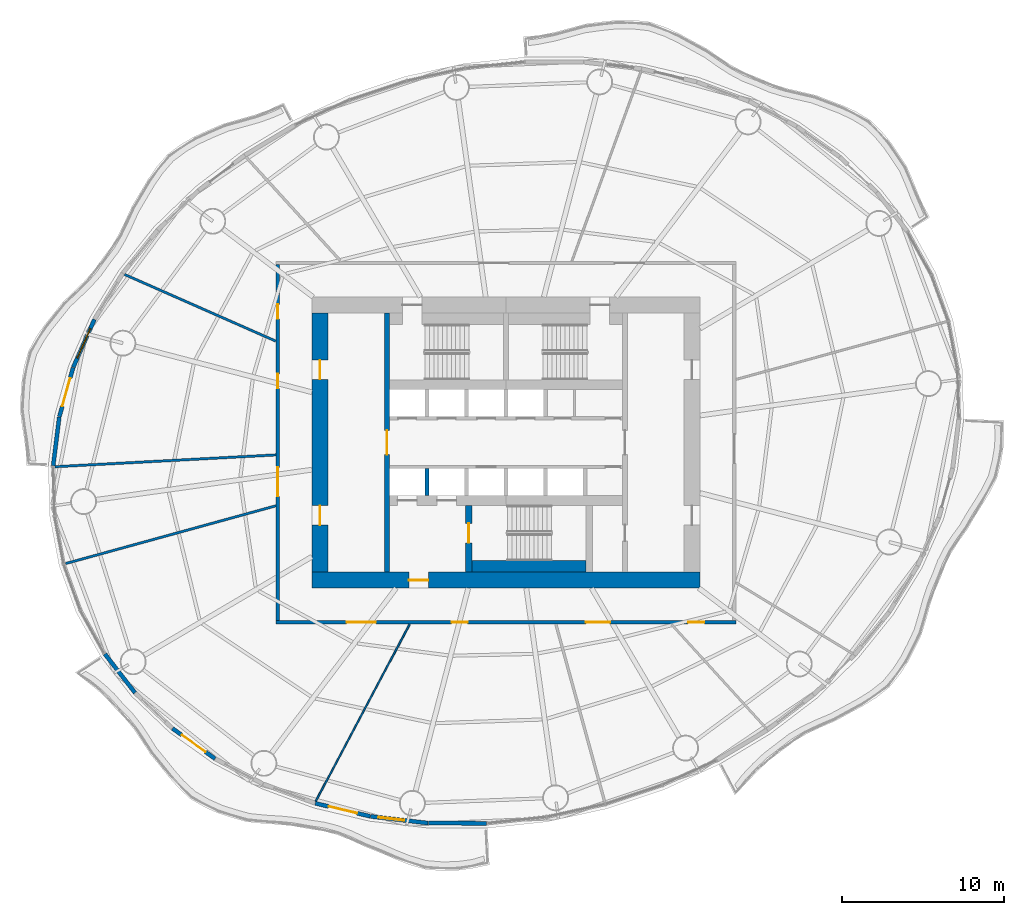
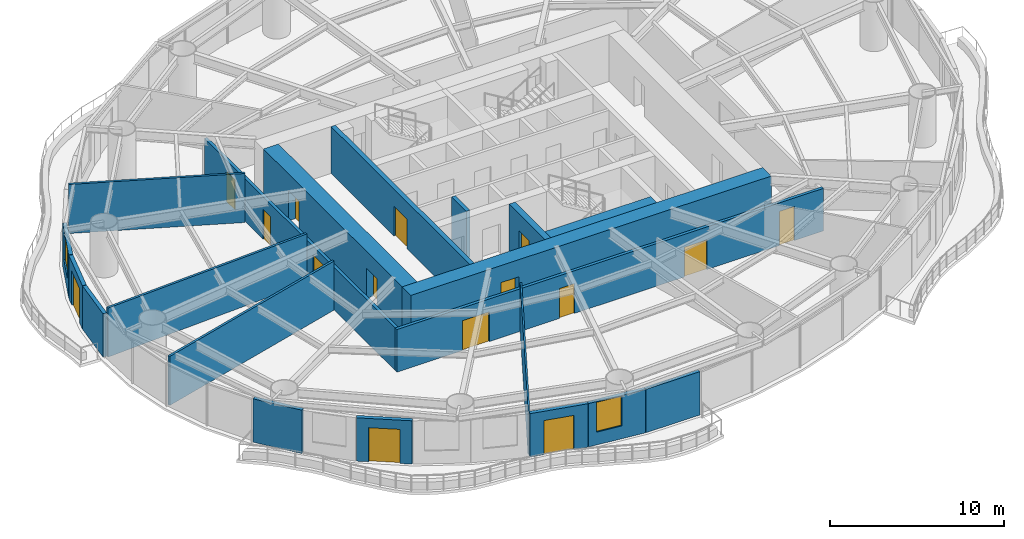
# One storey, part 8 of 16: 20 walls, 15 doors, 2 windows, 17 openings.
"""IFC4 building model written with IfcOpenShell, lengths in metres."""

from ifc_helpers import new_model, si_unit, direction, frame, frame_2d, origin, place, context, subcontext, project, spatial, rectangle, extrude, material, layer, layer_set, type_object, element, fill, save


model = new_model("IFC4")

# Units and contexts
model_context = context("Model", 3, precision=1e-05, world=origin(), true_north=direction((0.0, 1.0)))
body_context = subcontext(model_context, "Body", "Model", "MODEL_VIEW")
ifc_project = project(units=[si_unit("LENGTHUNIT", "METRE"), si_unit("AREAUNIT", "SQUARE_METRE"), si_unit("VOLUMEUNIT", "CUBIC_METRE"), si_unit("PLANEANGLEUNIT", "RADIAN"), si_unit("MASSUNIT", "GRAM", prefix="KILO")], contexts=[model_context])

# Site, building, storey
site_placement = place(None, origin())
site = spatial("IfcSite", under=ifc_project, at=site_placement, CompositionType="ELEMENT")
building_placement = place(site_placement, origin())
building = spatial("IfcBuilding", under=site, at=building_placement, Name="Vermilion Reach Broadcast Tower", CompositionType="ELEMENT")
storey_placement = place(building_placement, frame((0.0, 0.0, 95.800048828125)))
storey = spatial("IfcBuildingStorey", under=building, at=storey_placement, Name="L21", CompositionType="ELEMENT", Elevation=95.800048828125)

# Wall, opening, door
ifc_material_1 = material(Name="Concrete C70", Category="concrete")
ifc_layer_1 = layer(ifc_material_1, 0.300048828125)
ifc_layer_set_1 = layer_set([ifc_layer_1], Name="Core inner wall 300 mm Concrete C70")
wall_type_1 = type_object("IfcWallType", Name="Core inner wall 300 mm Concrete C70", PredefinedType="SHEAR", material=ifc_layer_set_1)
wall_1_placement = place(storey_placement, frame((-13.35009765625, 8.0, 0.0), z_axis=(0.0, 0.0, 1.0), x_axis=(0.0, -1.0, 0.0)))
wall_1 = element("IfcWall", 1, at=wall_1_placement, inside=storey, type_object=wall_type_1, Name="L21 core wall ewW", PredefinedType="SHEAR", context=body_context, shape_type="SweptSolid", body=[
    extrude(rectangle(XDim=16.0, YDim=0.300048828125, at=frame_2d((8.0, 0.0))), origin(), (0.0, 0.0, 1.0), 3.300048828125),
])
opening_1_placement = place(wall_1_placement, frame((7.25, 0.0, 0.0)))
opening_1 = element("IfcOpeningElement", 2, at=opening_1_placement, cuts=wall_1, Name="Opening D04", PredefinedType="OPENING", context=body_context, shape_type="SweptSolid", body=[
    extrude(rectangle(XDim=1.5, YDim=2.10009765625, at=frame_2d((0.75, 1.050048828125))), frame((0.0, 0.159912109375, 0.0), z_axis=(0.0, -1.0, 0.0), x_axis=(1.0, 0.0, 0.0)), (0.0, 0.0, 1.0), 0.320068359375),
])
ifc_material_2 = material(Name="Painted steel fire door", Category="steel")
door_type_1 = type_object("IfcDoorType", Name="Lift lobby door 1500 x 2100", OperationType="DOUBLE_DOOR_SINGLE_SWING", PredefinedType="NOTDEFINED", material=ifc_material_2)
door_1_placement = place(opening_1_placement, origin())
door_1 = element("IfcDoor", 3, at=door_1_placement, inside=storey, type_object=door_type_1, Name="L21 band door BW", OperationType="DOUBLE_DOOR_SINGLE_SWING", OverallHeight=2.10009765625, OverallWidth=1.5, PredefinedType="NOTDEFINED", context=body_context, shape_type="SweptSolid", body=[
    extrude(rectangle(XDim=1.5, YDim=2.10009765625, at=frame_2d((0.75, 1.050048828125))), frame((0.0, 0.02490234375, 0.0), z_axis=(0.0, -1.0, 0.0), x_axis=(1.0, 0.0, 0.0)), (0.0, 0.0, 1.0), 0.050048828125),
])
fill(opening_1, door_1)

ifc_material_3 = material(Name="Concrete C70", Category="concrete")
ifc_layer_2 = layer(ifc_material_3, 0.39990234375)
ifc_layer_set_2 = layer_set([ifc_layer_2], Name="Core inner wall 400 mm Concrete C70")
wall_type_2 = type_object("IfcWallType", Name="Core inner wall 400 mm Concrete C70", PredefinedType="SHEAR", material=ifc_layer_set_2)
wall_2_placement = place(storey_placement, frame((-8.300048828125, -3.8798828125, 0.0), z_axis=(0.0, 0.0, 1.0), x_axis=(0.0, -1.0, 0.0)))
wall_2 = element("IfcWall", 4, at=wall_2_placement, inside=storey, type_object=wall_type_2, Name="L21 core wall wa", PredefinedType="SHEAR", context=body_context, shape_type="SweptSolid", body=[
    extrude(rectangle(XDim=4.1201171875, YDim=0.39990234375, at=frame_2d((2.06005859375, 0.0))), origin(), (0.0, 0.0, 1.0), 3.300048828125),
])
opening_2_placement = place(wall_2_placement, frame((1.110107421875, 0.0, 0.0)))
opening_2 = element("IfcOpeningElement", 5, at=opening_2_placement, cuts=wall_2, Name="Opening D01", PredefinedType="OPENING", context=body_context, shape_type="SweptSolid", body=[
    extrude(rectangle(XDim=1.199951171875, YDim=2.10009765625, at=frame_2d((0.60009765625, 1.050048828125))), frame((0.0, 0.2099609375, 0.0), z_axis=(0.0, -1.0, 0.0), x_axis=(1.0, 0.0, 0.0)), (0.0, 0.0, 1.0), 0.419921875),
])
ifc_material_4 = material(Name="Painted steel fire door", Category="steel")
door_type_2 = type_object("IfcDoorType", Name="Stair door 1200 x 2100", OperationType="DOUBLE_DOOR_SINGLE_SWING", PredefinedType="NOTDEFINED", material=ifc_material_4)
door_2_placement = place(opening_2_placement, origin())
door_2 = element("IfcDoor", 6, at=door_2_placement, inside=storey, type_object=door_type_2, Name="L21 stair door ST3", OperationType="DOUBLE_DOOR_SINGLE_SWING", OverallHeight=2.10009765625, OverallWidth=1.199951171875, PredefinedType="NOTDEFINED", context=body_context, shape_type="SweptSolid", body=[
    extrude(rectangle(XDim=1.199951171875, YDim=2.10009765625, at=frame_2d((0.60009765625, 1.050048828125))), frame((0.0, 0.02490234375, 0.0), z_axis=(0.0, -1.0, 0.0), x_axis=(1.0, 0.0, 0.0)), (0.0, 0.0, 1.0), 0.050048828125),
])
fill(opening_2, door_2)

ifc_material_5 = material(Name="Concrete C70", Category="concrete")
ifc_layer_3 = layer(ifc_material_5, 1.0)
ifc_layer_set_3 = layer_set([ifc_layer_3], Name="Core outer wall 1000 mm Concrete C70")
wall_type_3 = type_object("IfcWallType", Name="Core outer wall 1000 mm Concrete C70", PredefinedType="SHEAR", material=ifc_layer_set_3)
wall_3_placement = place(storey_placement, frame((-18.0, -8.5, 0.0), z_axis=(0.0, 0.0, 1.0), x_axis=(1.0, 0.0, 0.0)))
wall_3 = element("IfcWall", 7, at=wall_3_placement, inside=storey, type_object=wall_type_3, Name="L21 core wall os", PredefinedType="SHEAR", context=body_context, shape_type="SweptSolid", body=[
    extrude(rectangle(XDim=24.0, YDim=1.0, at=frame_2d((12.0, 0.0))), origin(), (0.0, 0.0, 1.0), 3.300048828125),
])
opening_3_placement = place(wall_3_placement, frame((6.0, 0.0, 0.0)))
opening_3 = element("IfcOpeningElement", 8, at=opening_3_placement, cuts=wall_3, Name="Opening D02", PredefinedType="OPENING", context=body_context, shape_type="SweptSolid", body=[
    extrude(rectangle(XDim=1.199951171875, YDim=2.10009765625, at=frame_2d((0.60009765625, 1.050048828125))), frame((0.0, 0.510009765625, 0.0), z_axis=(0.0, -1.0, 0.0), x_axis=(1.0, 0.0, 0.0)), (0.0, 0.0, 1.0), 1.02001953125),
])
ifc_material_6 = material(Name="Painted steel fire door", Category="steel")
door_type_3 = type_object("IfcDoorType", Name="Firefighting lobby door 1200 x 2100", OperationType="DOUBLE_DOOR_SINGLE_SWING", PredefinedType="NOTDEFINED", material=ifc_material_6)
door_3_placement = place(opening_3_placement, origin())
door_3 = element("IfcDoor", 9, at=door_3_placement, inside=storey, type_object=door_type_3, Name="L21 ffdoor door FFL", OperationType="DOUBLE_DOOR_SINGLE_SWING", OverallHeight=2.10009765625, OverallWidth=1.199951171875, PredefinedType="NOTDEFINED", context=body_context, shape_type="SweptSolid", body=[
    extrude(rectangle(XDim=1.199951171875, YDim=2.10009765625, at=frame_2d((0.60009765625, 1.050048828125))), frame((0.0, 0.02490234375, 0.0), z_axis=(0.0, -1.0, 0.0), x_axis=(1.0, 0.0, 0.0)), (0.0, 0.0, 1.0), 0.050048828125),
])
fill(opening_3, door_3)

# Wall, openings, doors
wall_4_placement = place(storey_placement, frame((-17.5, 8.0, 0.0), z_axis=(0.0, 0.0, 1.0), x_axis=(0.0, -1.0, 0.0)))
wall_4 = element("IfcWall", 10, at=wall_4_placement, inside=storey, type_object=wall_type_3, Name="L21 core wall ow", PredefinedType="SHEAR", context=body_context, shape_type="SweptSolid", body=[
    extrude(rectangle(XDim=16.0, YDim=1.0, at=frame_2d((8.0, 0.0))), origin(), (0.0, 0.0, 1.0), 3.300048828125),
])
opening_4_placement = place(wall_4_placement, frame((11.89990234375, 0.0, 0.0)))
opening_4 = element("IfcOpeningElement", 11, at=opening_4_placement, cuts=wall_4, Name="Opening D03", PredefinedType="OPENING", context=body_context, shape_type="SweptSolid", body=[
    extrude(rectangle(XDim=1.199951171875, YDim=2.10009765625, at=frame_2d((0.60009765625, 1.050048828125))), frame((0.0, 0.510009765625, 0.0), z_axis=(0.0, -1.0, 0.0), x_axis=(1.0, 0.0, 0.0)), (0.0, 0.0, 1.0), 1.02001953125),
])
opening_5_placement = place(wall_4_placement, frame((2.89990234375, 0.0, 0.0)))
opening_5 = element("IfcOpeningElement", 12, at=opening_5_placement, cuts=wall_4, Name="Opening D03", PredefinedType="OPENING", context=body_context, shape_type="SweptSolid", body=[
    extrude(rectangle(XDim=1.199951171875, YDim=2.10009765625, at=frame_2d((0.60009765625, 1.050048828125))), frame((0.0, 0.510009765625, 0.0), z_axis=(0.0, -1.0, 0.0), x_axis=(1.0, 0.0, 0.0)), (0.0, 0.0, 1.0), 1.02001953125),
])
ifc_material_7 = material(Name="Painted steel fire door", Category="steel")
door_type_4 = type_object("IfcDoorType", Name="Core lobby door 1200 x 2100", OperationType="DOUBLE_DOOR_SINGLE_SWING", PredefinedType="NOTDEFINED", material=ifc_material_7)
door_4_placement = place(opening_4_placement, origin())
door_4 = element("IfcDoor", 13, at=door_4_placement, inside=storey, type_object=door_type_4, Name="L21 slot door W0", OperationType="DOUBLE_DOOR_SINGLE_SWING", OverallHeight=2.10009765625, OverallWidth=1.199951171875, PredefinedType="NOTDEFINED", context=body_context, shape_type="SweptSolid", body=[
    extrude(rectangle(XDim=1.199951171875, YDim=2.10009765625, at=frame_2d((0.60009765625, 1.050048828125))), frame((0.0, 0.02490234375, 0.0), z_axis=(0.0, -1.0, 0.0), x_axis=(1.0, 0.0, 0.0)), (0.0, 0.0, 1.0), 0.050048828125),
])
fill(opening_4, door_4)
door_5_placement = place(opening_5_placement, origin())
door_5 = element("IfcDoor", 14, at=door_5_placement, inside=storey, type_object=door_type_4, Name="L21 slot door W1", OperationType="DOUBLE_DOOR_SINGLE_SWING", OverallHeight=2.10009765625, OverallWidth=1.199951171875, PredefinedType="NOTDEFINED", context=body_context, shape_type="SweptSolid", body=[
    extrude(rectangle(XDim=1.199951171875, YDim=2.10009765625, at=frame_2d((0.60009765625, 1.050048828125))), frame((0.0, 0.02490234375, 0.0), z_axis=(0.0, -1.0, 0.0), x_axis=(1.0, 0.0, 0.0)), (0.0, 0.0, 1.0), 0.050048828125),
])
fill(opening_5, door_5)

# Walls
ifc_material_8 = material(Name="Concrete C50", Category="concrete")
ifc_layer_4 = layer(ifc_material_8, 0.25)
ifc_layer_set_4 = layer_set([ifc_layer_4], Name="Core shaft wall 250 mm Concrete C50")
wall_type_4 = type_object("IfcWallType", Name="Core shaft wall 250 mm Concrete C50", PredefinedType="SHEAR", material=ifc_layer_set_4)
wall_5_placement = place(storey_placement, frame((-10.88330078125, -1.60009765625, 0.0), z_axis=(0.0, 0.0, 1.0), x_axis=(0.0, -1.0, 0.0)))
element("IfcWall", 15, at=wall_5_placement, inside=storey, type_object=wall_type_4, Name="L21 core wall psS0", PredefinedType="SHEAR", context=body_context, shape_type="SweptSolid", body=[
    extrude(rectangle(XDim=1.679931640625, YDim=0.25, at=frame_2d((0.83984375, 0.0))), origin(), (0.0, 0.0, 1.0), 3.300048828125),
])
ifc_material_9 = material(Name="Concrete C70", Category="concrete")
ifc_layer_5 = layer(ifc_material_9, 0.699951171875)
ifc_layer_set_5 = layer_set([ifc_layer_5], Name="Core stair wall 700 mm Concrete C70")
wall_type_5 = type_object("IfcWallType", Name="Core stair wall 700 mm Concrete C70", PredefinedType="SHEAR", material=ifc_layer_set_5)
wall_6_placement = place(storey_placement, frame((-8.10009765625, -7.64990234375, 0.0), z_axis=(0.0, 0.0, 1.0), x_axis=(1.0, 0.0, 0.0)))
element("IfcWall", 16, at=wall_6_placement, inside=storey, type_object=wall_type_5, Name="L21 core wall l3", PredefinedType="SHEAR", context=body_context, shape_type="SweptSolid", body=[
    extrude(rectangle(XDim=7.050048828125, YDim=0.699951171875, at=frame_2d((3.52490234375, 0.0))), origin(), (0.0, 0.0, 1.0), 3.300048828125),
])
ifc_material_10 = material(Name="Plasterboard on steel stud", Category="steel")
ifc_layer_6 = layer(ifc_material_10, 0.10009765625)
ifc_layer_set_6 = layer_set([ifc_layer_6], Name="Partition 100 steel stud")
wall_type_6 = type_object("IfcWallType", Name="Partition 100 steel stud", PredefinedType="PARTITIONING", material=ifc_layer_set_6)
wall_7_placement = place(storey_placement, frame((-17.7607421875, -22.171630859375, 0.0), z_axis=(0.0, 0.0, 1.0), x_axis=(0.468596279268, 0.883412433157, 0.0)))
element("IfcWall", 17, at=wall_7_placement, inside=storey, type_object=wall_type_6, Name="Partition 21.07", PredefinedType="PARTITIONING", context=body_context, shape_type="SweptSolid", body=[
    extrude(rectangle(XDim=12.39306640625, YDim=0.10009765625, at=frame_2d((6.196533203125, 0.0))), origin(), (0.0, 0.0, 1.0), 3.449951171875),
])
ifc_material_11 = material(Name="Lightweight concrete block, plastered", Category="concrete")
ifc_layer_7 = layer(ifc_material_11, 0.14990234375)
ifc_layer_set_7 = layer_set([ifc_layer_7], Name="Partition 150 lightweight block")
wall_type_7 = type_object("IfcWallType", Name="Partition 150 lightweight block", PredefinedType="PARTITIONING", material=ifc_layer_set_7)
wall_8_placement = place(storey_placement, frame((-29.58349609375, 10.395263671875, 0.0), z_axis=(0.0, 0.0, 1.0), x_axis=(0.915049283518, -0.403342049301, 0.0)))
element("IfcWall", 18, at=wall_8_placement, inside=storey, type_object=wall_type_7, Name="Partition 21.04", PredefinedType="PARTITIONING", context=body_context, shape_type="SweptSolid", body=[
    extrude(rectangle(XDim=10.2216796875, YDim=0.14990234375, at=frame_2d((5.11083984375, 0.0))), origin(), (0.0, 0.0, 1.0), 3.449951171875),
])
wall_9_placement = place(storey_placement, frame((-33.8681640625, -1.4912109375, 0.0), z_axis=(0.0, 0.0, 1.0), x_axis=(0.998571262097, 0.053436265902, 0.0)))
element("IfcWall", 19, at=wall_9_placement, inside=storey, type_object=wall_type_7, Name="Partition 21.05", PredefinedType="PARTITIONING", context=body_context, shape_type="SweptSolid", body=[
    extrude(rectangle(XDim=13.68359375, YDim=0.14990234375, at=frame_2d((6.841796875, 0.0))), origin(), (0.0, 0.0, 1.0), 3.449951171875),
])
wall_10_placement = place(storey_placement, frame((-33.214599609375, -7.475830078125, 0.0), z_axis=(0.0, 0.0, 1.0), x_axis=(0.9642755307, 0.26490130406, 0.0)))
element("IfcWall", 20, at=wall_10_placement, inside=storey, type_object=wall_type_7, Name="Partition 21.06", PredefinedType="PARTITIONING", context=body_context, shape_type="SweptSolid", body=[
    extrude(rectangle(XDim=13.47607421875, YDim=0.14990234375, at=frame_2d((6.738037109375, 0.0))), origin(), (0.0, 0.0, 1.0), 3.449951171875),
])

# Wall, opening, window
ifc_material_12 = material(Name="Terracotta rainscreen cladding", Category="masonry")
ifc_layer_8 = layer(ifc_material_12, 0.25)
ifc_layer_set_8 = layer_set([ifc_layer_8], Name="Terracotta rainscreen wall 250")
wall_type_8 = type_object("IfcWallType", Name="Terracotta rainscreen wall 250", PredefinedType="SOLIDWALL", material=ifc_layer_set_8)
wall_11_placement = place(storey_placement, frame((-31.44091796875, 7.609130859375, 0.0), z_axis=(0.0, 0.0, 1.0), x_axis=(-0.404074069782, -0.914726268416, 0.0)))
wall_11 = element("IfcWall", 21, at=wall_11_placement, inside=storey, type_object=wall_type_8, Name="External wall L21 19", PredefinedType="SOLIDWALL", context=body_context, shape_type="SweptSolid", body=[
    extrude(rectangle(XDim=3.2275390625, YDim=0.25, at=frame_2d((1.61376953125, 0.0))), origin(), (0.0, 0.0, 1.0), 3.050048828125),
])
opening_6_placement = place(wall_11_placement, frame((0.61376953125, 0.0, 0.89990234375)))
opening_6 = element("IfcOpeningElement", 22, at=opening_6_placement, cuts=wall_11, Name="Opening W03", PredefinedType="OPENING", context=body_context, shape_type="SweptSolid", body=[
    extrude(rectangle(XDim=2.0, YDim=2.10009765625, at=frame_2d((1.0, 1.050048828125))), frame((0.0, 0.135009765625, 0.0), z_axis=(0.0, -1.0, 0.0), x_axis=(1.0, 0.0, 0.0)), (0.0, 0.0, 1.0), 0.27001953125),
])
ifc_material_13 = material(Name="Low-e laminated clear glass in aluminium frame", Category="aluminium")
window_type_1 = type_object("IfcWindowType", Name="Punched window 2000 x 2100 sill 900", PartitioningType="SINGLE_PANEL", PredefinedType="WINDOW", material=ifc_material_13)
window_1_placement = place(opening_6_placement, origin())
window_1 = element("IfcWindow", 23, at=window_1_placement, inside=storey, type_object=window_type_1, Name="Window L21 19", OverallHeight=2.10009765625, OverallWidth=2.0, PartitioningType="SINGLE_PANEL", PredefinedType="WINDOW", context=body_context, shape_type="SweptSolid", body=[
    extrude(rectangle(XDim=2.0, YDim=2.10009765625, at=frame_2d((1.0, 1.050048828125))), frame((0.0, 0.030029296875, 0.0), z_axis=(0.0, -1.0, 0.0), x_axis=(1.0, 0.0, 0.0)), (0.0, 0.0, 1.0), 0.06005859375),
])
fill(opening_6, window_1)

# Wall, opening, door
wall_12_placement = place(storey_placement, frame((-32.75390625, 4.632568359375, 0.0), z_axis=(0.0, 0.0, 1.0), x_axis=(-0.27027785562, -0.962782364173, 0.0)))
wall_12 = element("IfcWall", 24, at=wall_12_placement, inside=storey, type_object=wall_type_8, Name="External wall L21 20", PredefinedType="SOLIDWALL", context=body_context, shape_type="SweptSolid", body=[
    extrude(rectangle(XDim=3.144287109375, YDim=0.25, at=frame_2d((1.572265625, 0.0))), origin(), (0.0, 0.0, 1.0), 3.050048828125),
])
opening_7_placement = place(wall_12_placement, frame((0.672119140625, 0.0, 0.0)))
opening_7 = element("IfcOpeningElement", 25, at=opening_7_placement, cuts=wall_12, Name="Opening D70", PredefinedType="OPENING", context=body_context, shape_type="SweptSolid", body=[
    extrude(rectangle(XDim=1.800048828125, YDim=2.39990234375, at=frame_2d((0.89990234375, 1.199951171875))), frame((0.0, 0.135009765625, 0.0), z_axis=(0.0, -1.0, 0.0), x_axis=(1.0, 0.0, 0.0)), (0.0, 0.0, 1.0), 0.27001953125),
])
ifc_material_14 = material(Name="Low-e laminated clear glass in aluminium frame", Category="aluminium")
door_type_5 = type_object("IfcDoorType", Name="Balcony sliding door 1800 x 2400", OperationType="DOUBLE_DOOR_SLIDING", PredefinedType="DOOR", material=ifc_material_14)
door_6_placement = place(opening_7_placement, origin())
door_6 = element("IfcDoor", 26, at=door_6_placement, inside=storey, type_object=door_type_5, Name="Balcony door L21 run 05", OperationType="DOUBLE_DOOR_SLIDING", OverallHeight=2.39990234375, OverallWidth=1.800048828125, PredefinedType="DOOR", context=body_context, shape_type="SweptSolid", body=[
    extrude(rectangle(XDim=1.800048828125, YDim=2.39990234375, at=frame_2d((0.89990234375, 1.199951171875))), frame((0.0, 0.02490234375, 0.0), z_axis=(0.0, -1.0, 0.0), x_axis=(1.0, 0.0, 0.0)), (0.0, 0.0, 1.0), 0.050048828125),
])
fill(opening_7, door_6)

# Walls
wall_13_placement = place(storey_placement, frame((-33.60888671875, 1.5791015625, 0.0), z_axis=(0.0, 0.0, 1.0), x_axis=(-0.124351721446, -0.992238201932, 0.0)))
element("IfcWall", 27, at=wall_13_placement, inside=storey, type_object=wall_type_8, Name="External wall L21 21", PredefinedType="SOLIDWALL", context=body_context, shape_type="SweptSolid", body=[
    extrude(rectangle(XDim=3.033203125, YDim=0.25, at=frame_2d((1.5166015625, 0.0))), origin(), (0.0, 0.0, 1.0), 3.050048828125),
])
wall_14_placement = place(storey_placement, frame((-30.789794921875, -13.066650390625, 0.0), z_axis=(0.0, 0.0, 1.0), x_axis=(0.61377901143, -0.789477881342, 0.0)))
element("IfcWall", 28, at=wall_14_placement, inside=storey, type_object=wall_type_8, Name="External wall L21 26", PredefinedType="SOLIDWALL", context=body_context, shape_type="SweptSolid", body=[
    extrude(rectangle(XDim=3.033447265625, YDim=0.25, at=frame_2d((1.5166015625, 0.0))), origin(), (0.0, 0.0, 1.0), 3.050048828125),
])

# Wall, opening, door
wall_15_placement = place(storey_placement, frame((-26.61328125, -17.666015625, 0.0), z_axis=(0.0, 0.0, 1.0), x_axis=(0.814693251173, -0.579892150742, 0.0)))
wall_15 = element("IfcWall", 29, at=wall_15_placement, inside=storey, type_object=wall_type_8, Name="External wall L21 28", PredefinedType="SOLIDWALL", context=body_context, shape_type="SweptSolid", body=[
    extrude(rectangle(XDim=3.2275390625, YDim=0.25, at=frame_2d((1.61376953125, 0.0))), origin(), (0.0, 0.0, 1.0), 3.050048828125),
])
opening_8_placement = place(wall_15_placement, frame((0.714111328125, 0.0, 0.0)))
opening_8 = element("IfcOpeningElement", 30, at=opening_8_placement, cuts=wall_15, Name="Opening D70", PredefinedType="OPENING", context=body_context, shape_type="SweptSolid", body=[
    extrude(rectangle(XDim=1.800048828125, YDim=2.39990234375, at=frame_2d((0.89990234375, 1.199951171875))), frame((0.0, 0.135009765625, 0.0), z_axis=(0.0, -1.0, 0.0), x_axis=(1.0, 0.0, 0.0)), (0.0, 0.0, 1.0), 0.27001953125),
])
door_7_placement = place(opening_8_placement, origin())
door_7 = element("IfcDoor", 31, at=door_7_placement, inside=storey, type_object=door_type_5, Name="Balcony door L21 run 07", OperationType="DOUBLE_DOOR_SLIDING", OverallHeight=2.39990234375, OverallWidth=1.800048828125, PredefinedType="DOOR", context=body_context, shape_type="SweptSolid", body=[
    extrude(rectangle(XDim=1.800048828125, YDim=2.39990234375, at=frame_2d((0.89990234375, 1.199951171875))), frame((0.0, 0.02490234375, 0.0), z_axis=(0.0, -1.0, 0.0), x_axis=(1.0, 0.0, 0.0)), (0.0, 0.0, 1.0), 0.050048828125),
])
fill(opening_8, door_7)

wall_16_placement = place(storey_placement, frame((-17.785400390625, -22.2939453125, 0.0), z_axis=(0.0, 0.0, 1.0), x_axis=(0.973010541171, -0.230760669895, 0.0)))
wall_16 = element("IfcWall", 32, at=wall_16_placement, inside=storey, type_object=wall_type_8, Name="External wall L21 31", PredefinedType="SOLIDWALL", context=body_context, shape_type="SweptSolid", body=[
    extrude(rectangle(XDim=3.493408203125, YDim=0.25, at=frame_2d((1.74658203125, 0.0))), origin(), (0.0, 0.0, 1.0), 3.050048828125),
])
opening_9_placement = place(wall_16_placement, frame((0.846923828125, 0.0, 0.0)))
opening_9 = element("IfcOpeningElement", 33, at=opening_9_placement, cuts=wall_16, Name="Opening D70", PredefinedType="OPENING", context=body_context, shape_type="SweptSolid", body=[
    extrude(rectangle(XDim=1.800048828125, YDim=2.39990234375, at=frame_2d((0.89990234375, 1.199951171875))), frame((0.0, 0.135009765625, 0.0), z_axis=(0.0, -1.0, 0.0), x_axis=(1.0, 0.0, 0.0)), (0.0, 0.0, 1.0), 0.27001953125),
])
door_8_placement = place(opening_9_placement, origin())
door_8 = element("IfcDoor", 34, at=door_8_placement, inside=storey, type_object=door_type_5, Name="Balcony door L21 run 08", OperationType="DOUBLE_DOOR_SLIDING", OverallHeight=2.39990234375, OverallWidth=1.800048828125, PredefinedType="DOOR", context=body_context, shape_type="SweptSolid", body=[
    extrude(rectangle(XDim=1.800048828125, YDim=2.39990234375, at=frame_2d((0.89990234375, 1.199951171875))), frame((0.0, 0.02490234375, 0.0), z_axis=(0.0, -1.0, 0.0), x_axis=(1.0, 0.0, 0.0)), (0.0, 0.0, 1.0), 0.050048828125),
])
fill(opening_9, door_8)

# Wall, opening, window
wall_17_placement = place(storey_placement, frame((-14.364013671875, -23.10400390625, 0.0), z_axis=(0.0, 0.0, 1.0), x_axis=(0.993283992759, -0.115701813856, 0.0)))
wall_17 = element("IfcWall", 35, at=wall_17_placement, inside=storey, type_object=wall_type_8, Name="External wall L21 32", PredefinedType="SOLIDWALL", context=body_context, shape_type="SweptSolid", body=[
    extrude(rectangle(XDim=3.568115234375, YDim=0.25, at=frame_2d((1.7841796875, 0.0))), origin(), (0.0, 0.0, 1.0), 3.050048828125),
])
opening_10_placement = place(wall_17_placement, frame((0.48388671875, 0.0, 0.89990234375)))
opening_10 = element("IfcOpeningElement", 36, at=opening_10_placement, cuts=wall_17, Name="Opening W04", PredefinedType="OPENING", context=body_context, shape_type="SweptSolid", body=[
    extrude(rectangle(XDim=1.60009765625, YDim=2.10009765625, at=frame_2d((0.800048828125, 1.050048828125))), frame((0.0, 0.135009765625, 0.0), z_axis=(0.0, -1.0, 0.0), x_axis=(1.0, 0.0, 0.0)), (0.0, 0.0, 1.0), 0.27001953125),
])
ifc_material_15 = material(Name="Low-e laminated clear glass in aluminium frame", Category="aluminium")
window_type_2 = type_object("IfcWindowType", Name="Punched window 1600 x 2100 sill 900", PartitioningType="SINGLE_PANEL", PredefinedType="WINDOW", material=ifc_material_15)
window_2_placement = place(opening_10_placement, origin())
window_2 = element("IfcWindow", 37, at=window_2_placement, inside=storey, type_object=window_type_2, Name="Window L21 32", OverallHeight=2.10009765625, OverallWidth=1.60009765625, PartitioningType="SINGLE_PANEL", PredefinedType="WINDOW", context=body_context, shape_type="SweptSolid", body=[
    extrude(rectangle(XDim=1.60009765625, YDim=2.10009765625, at=frame_2d((0.800048828125, 1.050048828125))), frame((0.0, 0.030029296875, 0.0), z_axis=(0.0, -1.0, 0.0), x_axis=(1.0, 0.0, 0.0)), (0.0, 0.0, 1.0), 0.06005859375),
])
fill(opening_10, window_2)

# Wall
wall_18_placement = place(storey_placement, frame((-10.7978515625, -23.51806640625, 0.0), z_axis=(0.0, 0.0, 1.0), x_axis=(0.999994874108, -0.003201836575, 0.0)))
element("IfcWall", 38, at=wall_18_placement, inside=storey, type_object=wall_type_8, Name="External wall L21 33", PredefinedType="SOLIDWALL", context=body_context, shape_type="SweptSolid", body=[
    extrude(rectangle(XDim=3.583740234375, YDim=0.25, at=frame_2d((1.7919921875, 0.0))), origin(), (0.0, 0.0, 1.0), 3.050048828125),
])

# Wall, openings, doors
ifc_material_16 = material(Name="Fire-rated gypsum board partition")
ifc_layer_9 = layer(ifc_material_16, 0.199951171875)
ifc_layer_set_9 = layer_set([ifc_layer_9], Name="Under girder: Corridor wall 200 fire-rated")
wall_type_9 = type_object("IfcWallType", Name="Under girder: Corridor wall 200 fire-rated", PredefinedType="PARTITIONING", material=ifc_layer_set_9)
wall_19_placement = place(storey_placement, frame((8.199951171875, -11.10009765625, 0.0), z_axis=(0.0, 0.0, 1.0), x_axis=(-1.0, 0.0, 0.0)))
wall_19 = element("IfcWall", 39, at=wall_19_placement, inside=storey, type_object=wall_type_9, Name="Corridor wall 21.S", PredefinedType="PARTITIONING", context=body_context, shape_type="SweptSolid", body=[
    extrude(rectangle(XDim=28.39990234375, YDim=0.199951171875, at=frame_2d((14.199951171875, 0.0))), origin(), (0.0, 0.0, 1.0), 3.0),
])
opening_11_placement = place(wall_19_placement, frame((22.24853515625, 0.0, 0.0)))
opening_11 = element("IfcOpeningElement", 40, at=opening_11_placement, cuts=wall_19, Name="Opening D21", PredefinedType="OPENING", context=body_context, shape_type="SweptSolid", body=[
    extrude(rectangle(XDim=1.800048828125, YDim=2.10009765625, at=frame_2d((0.89990234375, 1.050048828125))), frame((0.0, 0.10986328125, 0.0), z_axis=(0.0, -1.0, 0.0), x_axis=(1.0, 0.0, 0.0)), (0.0, 0.0, 1.0), 0.219970703125),
])
opening_12_placement = place(wall_19_placement, frame((16.565673828125, 0.0, 0.0)))
opening_12 = element("IfcOpeningElement", 41, at=opening_12_placement, cuts=wall_19, Name="Opening D20", PredefinedType="OPENING", context=body_context, shape_type="SweptSolid", body=[
    extrude(rectangle(XDim=1.0, YDim=2.10009765625, at=frame_2d((0.5, 1.050048828125))), frame((0.0, 0.10986328125, 0.0), z_axis=(0.0, -1.0, 0.0), x_axis=(1.0, 0.0, 0.0)), (0.0, 0.0, 1.0), 0.219970703125),
])
opening_13_placement = place(wall_19_placement, frame((7.76708984375, 0.0, 0.0)))
opening_13 = element("IfcOpeningElement", 42, at=opening_13_placement, cuts=wall_19, Name="Opening D24", PredefinedType="OPENING", context=body_context, shape_type="SweptSolid", body=[
    extrude(rectangle(XDim=1.5, YDim=2.10009765625, at=frame_2d((0.75, 1.050048828125))), frame((0.0, 0.10986328125, 0.0), z_axis=(0.0, -1.0, 0.0), x_axis=(1.0, 0.0, 0.0)), (0.0, 0.0, 1.0), 0.219970703125),
])
opening_14_placement = place(wall_19_placement, frame((1.9365234375, 0.0, 0.0)))
opening_14 = element("IfcOpeningElement", 43, at=opening_14_placement, cuts=wall_19, Name="Opening D23", PredefinedType="OPENING", context=body_context, shape_type="SweptSolid", body=[
    extrude(rectangle(XDim=1.0, YDim=2.39990234375, at=frame_2d((0.5, 1.199951171875))), frame((0.0, 0.10986328125, 0.0), z_axis=(0.0, -1.0, 0.0), x_axis=(1.0, 0.0, 0.0)), (0.0, 0.0, 1.0), 0.219970703125),
])
ifc_material_17 = material(Name="Timber door leaf", Category="wood")
door_type_6 = type_object("IfcDoorType", Name="Door pair 1500x2100", OperationType="NOTDEFINED", PredefinedType="DOOR", material=ifc_material_17)
door_9_placement = place(opening_13_placement, origin())
door_9 = element("IfcDoor", 44, at=door_9_placement, inside=storey, type_object=door_type_6, Name="Door 21.08", OperationType="DOUBLE_DOOR_SINGLE_SWING", OverallHeight=2.10009765625, OverallWidth=1.5, PredefinedType="DOOR", context=body_context, shape_type="SweptSolid", body=[
    extrude(rectangle(XDim=1.5, YDim=2.10009765625, at=frame_2d((0.75, 1.050048828125))), frame((0.0, 0.02490234375, 0.0), z_axis=(0.0, -1.0, 0.0), x_axis=(1.0, 0.0, 0.0)), (0.0, 0.0, 1.0), 0.050048828125),
])
fill(opening_13, door_9)
ifc_material_18 = material(Name="Timber door leaf", Category="wood")
door_type_7 = type_object("IfcDoorType", Name="Door pair 1800x2100", OperationType="NOTDEFINED", PredefinedType="DOOR", material=ifc_material_18)
door_10_placement = place(opening_11_placement, origin())
door_10 = element("IfcDoor", 45, at=door_10_placement, inside=storey, type_object=door_type_7, Name="Door 21.06", OperationType="DOUBLE_DOOR_SINGLE_SWING", OverallHeight=2.10009765625, OverallWidth=1.800048828125, PredefinedType="DOOR", context=body_context, shape_type="SweptSolid", body=[
    extrude(rectangle(XDim=1.800048828125, YDim=2.10009765625, at=frame_2d((0.89990234375, 1.050048828125))), frame((0.0, 0.02490234375, 0.0), z_axis=(0.0, -1.0, 0.0), x_axis=(1.0, 0.0, 0.0)), (0.0, 0.0, 1.0), 0.050048828125),
])
fill(opening_11, door_10)
ifc_material_19 = material(Name="Timber door leaf", Category="wood")
door_type_8 = type_object("IfcDoorType", Name="Door single 1000x2100", OperationType="NOTDEFINED", PredefinedType="DOOR", material=ifc_material_19)
door_11_placement = place(opening_12_placement, origin())
door_11 = element("IfcDoor", 46, at=door_11_placement, inside=storey, type_object=door_type_8, Name="Door 21.07", OperationType="SINGLE_SWING_RIGHT", OverallHeight=2.10009765625, OverallWidth=1.0, PredefinedType="DOOR", context=body_context, shape_type="SweptSolid", body=[
    extrude(rectangle(XDim=1.0, YDim=2.10009765625, at=frame_2d((0.5, 1.050048828125))), frame((0.0, 0.02490234375, 0.0), z_axis=(0.0, -1.0, 0.0), x_axis=(1.0, 0.0, 0.0)), (0.0, 0.0, 1.0), 0.050048828125),
])
fill(opening_12, door_11)
ifc_material_20 = material(Name="Veneered timber door leaf", Category="wood")
door_type_9 = type_object("IfcDoorType", Name="Door single 1000x2400", OperationType="NOTDEFINED", PredefinedType="DOOR", material=ifc_material_20)
door_12_placement = place(opening_14_placement, origin())
door_12 = element("IfcDoor", 47, at=door_12_placement, inside=storey, type_object=door_type_9, Name="Door 21.09", OperationType="SINGLE_SWING_RIGHT", OverallHeight=2.39990234375, OverallWidth=1.0, PredefinedType="DOOR", context=body_context, shape_type="SweptSolid", body=[
    extrude(rectangle(XDim=1.0, YDim=2.39990234375, at=frame_2d((0.5, 1.199951171875))), frame((0.0, 0.02490234375, 0.0), z_axis=(0.0, -1.0, 0.0), x_axis=(1.0, 0.0, 0.0)), (0.0, 0.0, 1.0), 0.050048828125),
])
fill(opening_14, door_12)

wall_20_placement = place(storey_placement, frame((-20.10009765625, -11.0, 0.0), z_axis=(0.0, 0.0, 1.0), x_axis=(0.0, 1.0, 0.0)))
wall_20 = element("IfcWall", 48, at=wall_20_placement, inside=storey, type_object=wall_type_9, Name="Corridor wall 21.W", PredefinedType="PARTITIONING", context=body_context, shape_type="SweptSolid", body=[
    extrude(rectangle(XDim=22.0, YDim=0.199951171875, at=frame_2d((11.0, 0.0))), origin(), (0.0, 0.0, 1.0), 3.0),
])
opening_15_placement = place(wall_20_placement, frame((18.641357421875, 0.0, 0.0)))
opening_15 = element("IfcOpeningElement", 49, at=opening_15_placement, cuts=wall_20, Name="Opening D22", PredefinedType="OPENING", context=body_context, shape_type="SweptSolid", body=[
    extrude(rectangle(XDim=0.89990234375, YDim=2.10009765625, at=frame_2d((0.449951171875, 1.050048828125))), frame((0.0, 0.10986328125, 0.0), z_axis=(0.0, -1.0, 0.0), x_axis=(1.0, 0.0, 0.0)), (0.0, 0.0, 1.0), 0.219970703125),
])
opening_16_placement = place(wall_20_placement, frame((14.353515625, 0.0, 0.0)))
opening_16 = element("IfcOpeningElement", 50, at=opening_16_placement, cuts=wall_20, Name="Opening D22", PredefinedType="OPENING", context=body_context, shape_type="SweptSolid", body=[
    extrude(rectangle(XDim=0.89990234375, YDim=2.10009765625, at=frame_2d((0.449951171875, 1.050048828125))), frame((0.0, 0.10986328125, 0.0), z_axis=(0.0, -1.0, 0.0), x_axis=(1.0, 0.0, 0.0)), (0.0, 0.0, 1.0), 0.219970703125),
])
opening_17_placement = place(wall_20_placement, frame((7.671630859375, 0.0, 0.0)))
opening_17 = element("IfcOpeningElement", 51, at=opening_17_placement, cuts=wall_20, Name="Opening D27", PredefinedType="OPENING", context=body_context, shape_type="SweptSolid", body=[
    extrude(rectangle(XDim=1.800048828125, YDim=2.39990234375, at=frame_2d((0.89990234375, 1.199951171875))), frame((0.0, 0.10986328125, 0.0), z_axis=(0.0, -1.0, 0.0), x_axis=(1.0, 0.0, 0.0)), (0.0, 0.0, 1.0), 0.219970703125),
])
ifc_material_21 = material(Name="Acoustic timber door leaf", Category="wood")
door_type_10 = type_object("IfcDoorType", Name="Door pair 1800x2400", OperationType="NOTDEFINED", PredefinedType="DOOR", material=ifc_material_21)
door_13_placement = place(opening_17_placement, origin())
door_13 = element("IfcDoor", 52, at=door_13_placement, inside=storey, type_object=door_type_10, Name="Door 21.05", OperationType="DOUBLE_DOOR_SINGLE_SWING", OverallHeight=2.39990234375, OverallWidth=1.800048828125, PredefinedType="DOOR", context=body_context, shape_type="SweptSolid", body=[
    extrude(rectangle(XDim=1.800048828125, YDim=2.39990234375, at=frame_2d((0.89990234375, 1.199951171875))), frame((0.0, 0.02490234375, 0.0), z_axis=(0.0, -1.0, 0.0), x_axis=(1.0, 0.0, 0.0)), (0.0, 0.0, 1.0), 0.050048828125),
])
fill(opening_17, door_13)
ifc_material_22 = material(Name="Timber door leaf", Category="wood")
door_type_11 = type_object("IfcDoorType", Name="Door single 900x2100", OperationType="NOTDEFINED", PredefinedType="DOOR", material=ifc_material_22)
door_14_placement = place(opening_15_placement, origin())
door_14 = element("IfcDoor", 53, at=door_14_placement, inside=storey, type_object=door_type_11, Name="Door 21.03", OperationType="SINGLE_SWING_LEFT", OverallHeight=2.10009765625, OverallWidth=0.89990234375, PredefinedType="DOOR", context=body_context, shape_type="SweptSolid", body=[
    extrude(rectangle(XDim=0.89990234375, YDim=2.10009765625, at=frame_2d((0.449951171875, 1.050048828125))), frame((0.0, 0.02490234375, 0.0), z_axis=(0.0, -1.0, 0.0), x_axis=(1.0, 0.0, 0.0)), (0.0, 0.0, 1.0), 0.050048828125),
])
fill(opening_15, door_14)
door_15_placement = place(opening_16_placement, origin())
door_15 = element("IfcDoor", 54, at=door_15_placement, inside=storey, type_object=door_type_11, Name="Door 21.04", OperationType="SINGLE_SWING_RIGHT", OverallHeight=2.10009765625, OverallWidth=0.89990234375, PredefinedType="DOOR", context=body_context, shape_type="SweptSolid", body=[
    extrude(rectangle(XDim=0.89990234375, YDim=2.10009765625, at=frame_2d((0.449951171875, 1.050048828125))), frame((0.0, 0.02490234375, 0.0), z_axis=(0.0, -1.0, 0.0), x_axis=(1.0, 0.0, 0.0)), (0.0, 0.0, 1.0), 0.050048828125),
])
fill(opening_16, door_15)

save(model, "model.ifc")
